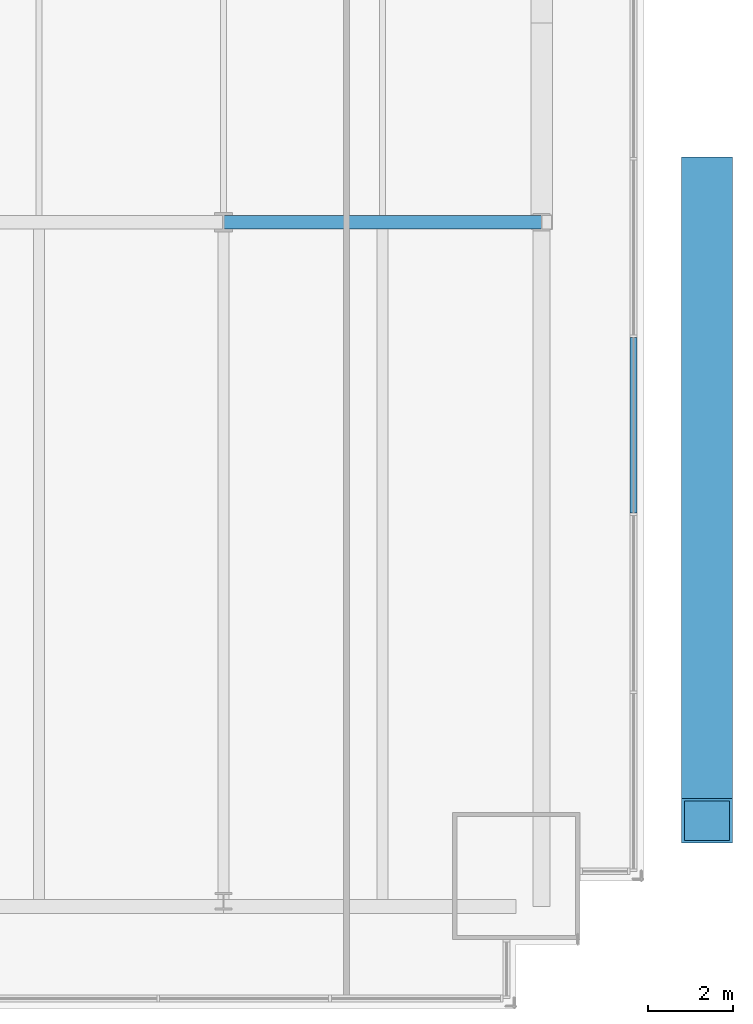
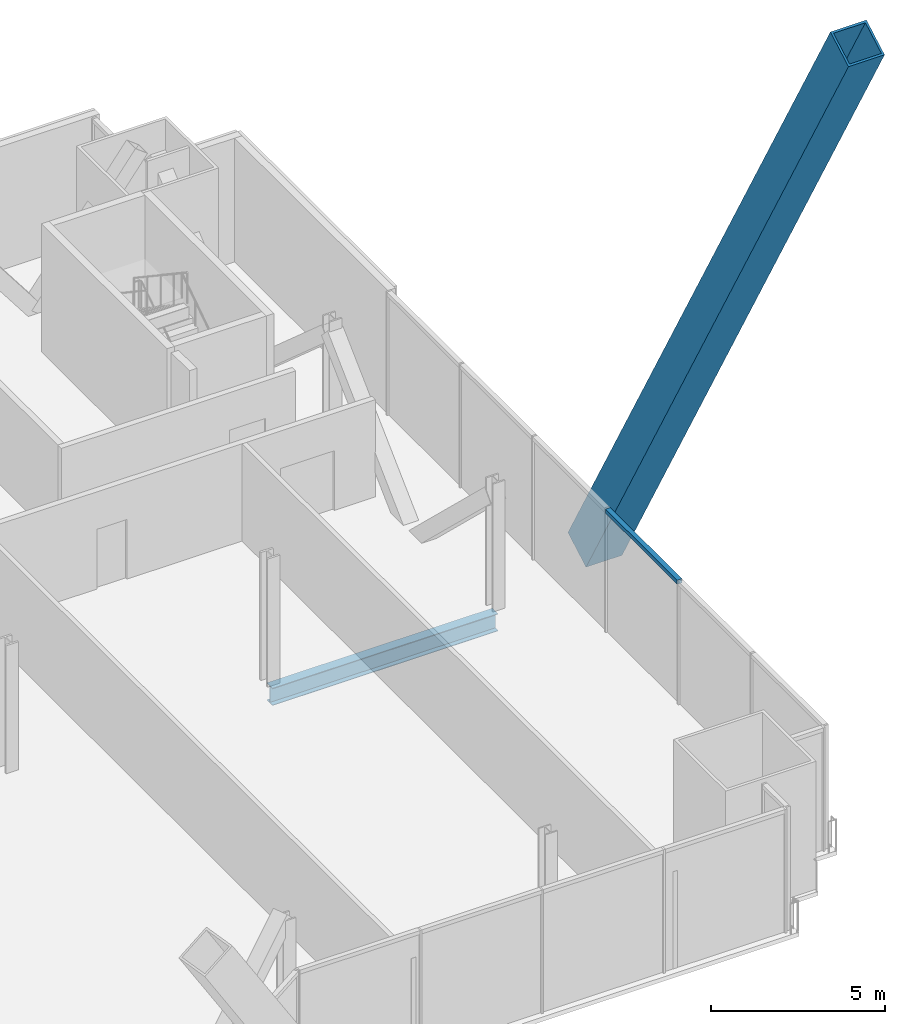
# One storey, part 14 of 23: 2 members, 1 beam, 1 element without a shape of its own.
"""IFC4 building model written with IfcOpenShell, lengths in metres."""

from ifc_helpers import new_model, si_unit, direction, frame, origin, origin_2d, place, context, subcontext, project, spatial, rectangle, hollow_rectangle, i_section, extrude, material, material_profile, profile_set, type_object, element, aggregate, save


model = new_model("IFC4")

# Units and contexts
model_context = context("Model", 3, precision=1e-05, world=origin(), true_north=direction((0.0, 1.0)))
body_context = subcontext(model_context, "Body", "Model", "MODEL_VIEW")
ifc_project = project(units=[si_unit("LENGTHUNIT", "METRE"), si_unit("AREAUNIT", "SQUARE_METRE"), si_unit("VOLUMEUNIT", "CUBIC_METRE"), si_unit("PLANEANGLEUNIT", "RADIAN"), si_unit("MASSUNIT", "GRAM", prefix="KILO")], contexts=[model_context])

# Site, building, storey
site_placement = place(None, origin())
site = spatial("IfcSite", under=ifc_project, at=site_placement, CompositionType="ELEMENT")
building_placement = place(site_placement, origin())
building = spatial("IfcBuilding", under=site, at=building_placement, Name="Bicima Exchange Tower", CompositionType="ELEMENT")
storey_placement = place(building_placement, frame((0.0, 0.0, 62.0)))
storey = spatial("IfcBuildingStorey", under=building, at=storey_placement, Name="L12", CompositionType="ELEMENT", Elevation=62.0)

# Curtain wall, member
ifc_material_1 = material(Name="Anodised bronze aluminium", Category="aluminium")
curtain_wall_type = type_object("IfcCurtainWallType", Name="End face glass wall", PredefinedType="NOTDEFINED", material=ifc_material_1)
curtain_wall_placement = place(storey_placement, origin())
curtain_wall = element("IfcCurtainWall", 1, at=curtain_wall_placement, inside=storey, type_object=curtain_wall_type, Name="End face glass wall L12 run 19", PredefinedType="NOTDEFINED")
ifc_material_profile_1 = material_profile(ifc_material_1, rectangle(XDim=0.159912109375, YDim=0.139892578125, at=origin_2d()))
ifc_profile_set_1 = profile_set([ifc_material_profile_1], Name="Anodised bronze aluminium")
member_type_1 = type_object("IfcMemberType", Name="End face glass wall transom 140 x 160", PredefinedType="USERDEFINED", material=ifc_profile_set_1)
member_1_placement = place(storey_placement, frame((35.77001953125, -28.857421875, 4.280029296875), z_axis=(0.0, 1.0, 0.0), x_axis=(-1.0, 0.0, 0.0)))
member_1 = element("IfcMember", 2, at=member_1_placement, type_object=member_type_1, Name="End face glass wall transom 3.1", ObjectType="TRANSOM", PredefinedType="USERDEFINED", context=body_context, shape_type="SweptSolid", body=[
    extrude(rectangle(XDim=0.159912109375, YDim=0.139892578125, at=origin_2d()), origin(), (0.0, 0.0, 1.0), 4.134521484375),
])
aggregate(curtain_wall, [member_1])

# Member
ifc_material_2 = material(Name="Steel ASTM A572 Gr 50", Category="steel")
ifc_material_profile_2 = material_profile(ifc_material_2, hollow_rectangle(XDim=1.199951171875, YDim=1.199951171875, WallThickness=0.070068359375, at=origin_2d()))
ifc_profile_set_2 = profile_set([ifc_material_profile_2], Name="Steel ASTM A572 Gr 50")
member_type_2 = type_object("IfcMemberType", Name="Exo mega brace BOX 1200x1200x70", PredefinedType="BRACE", material=ifc_profile_set_2)
member_2_placement = place(storey_placement, frame((37.5, -20.98779296875, 0.22509765625), z_axis=(0.0, -0.491844296124, 0.870683173359), x_axis=(1.0, 0.0, 0.0)))
element("IfcMember", 3, at=member_2_placement, inside=storey, type_object=member_type_2, Name="Exo mega brace end", PredefinedType="BRACE", context=body_context, shape_type="SweptSolid", body=[
    extrude(hollow_rectangle(XDim=1.199951171875, YDim=1.199951171875, WallThickness=0.070068359375, at=origin_2d()), origin(), (0.0, 0.0, 1.0), 30.751708984375),
])

# Beam
ifc_material_3 = material(Name="Steel ASTM A992 Gr 50", Category="steel")
ifc_material_profile_3 = material_profile(ifc_material_3, i_section(OverallWidth=0.3251953125, OverallDepth=0.612060546875, WebThickness=0.0126953125, FlangeThickness=0.01904296875, at=origin_2d()))
ifc_profile_set_3 = profile_set([ifc_material_profile_3], Name="Steel ASTM A992 Gr 50")
beam_type = type_object("IfcBeamType", Name="Row girder W24x104", PredefinedType="BEAM", material=ifc_profile_set_3)
beam_placement = place(storey_placement, frame((26.10009765625, -22.0, -0.4560546875), z_axis=(1.0, 0.0, 0.0), x_axis=(0.0, 1.0, 0.0)))
element("IfcBeam", 4, at=beam_placement, inside=storey, type_object=beam_type, Name="Row girder", PredefinedType="BEAM", context=body_context, shape_type="SweptSolid", body=[
    extrude(i_section(OverallWidth=0.3251953125, OverallDepth=0.612060546875, WebThickness=0.0126953125, FlangeThickness=0.01904296875, at=origin_2d()), origin(), (0.0, 0.0, 1.0), 7.5),
])

save(model, "model.ifc")
